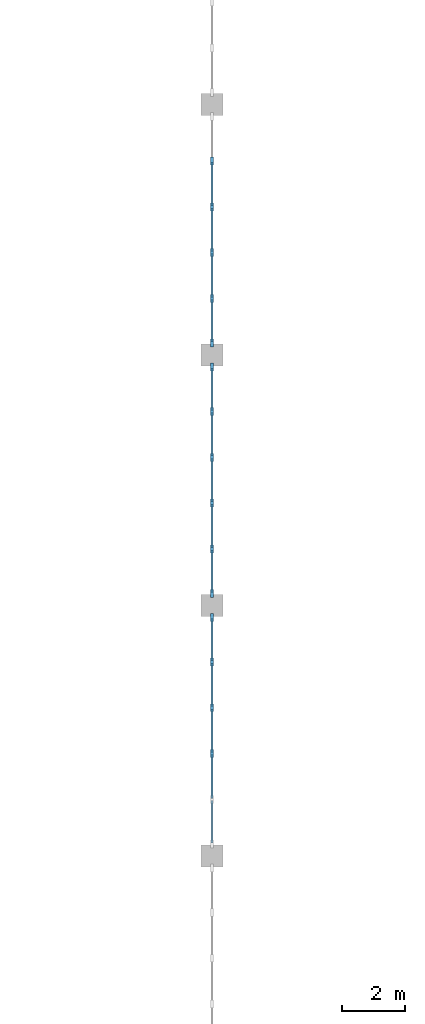
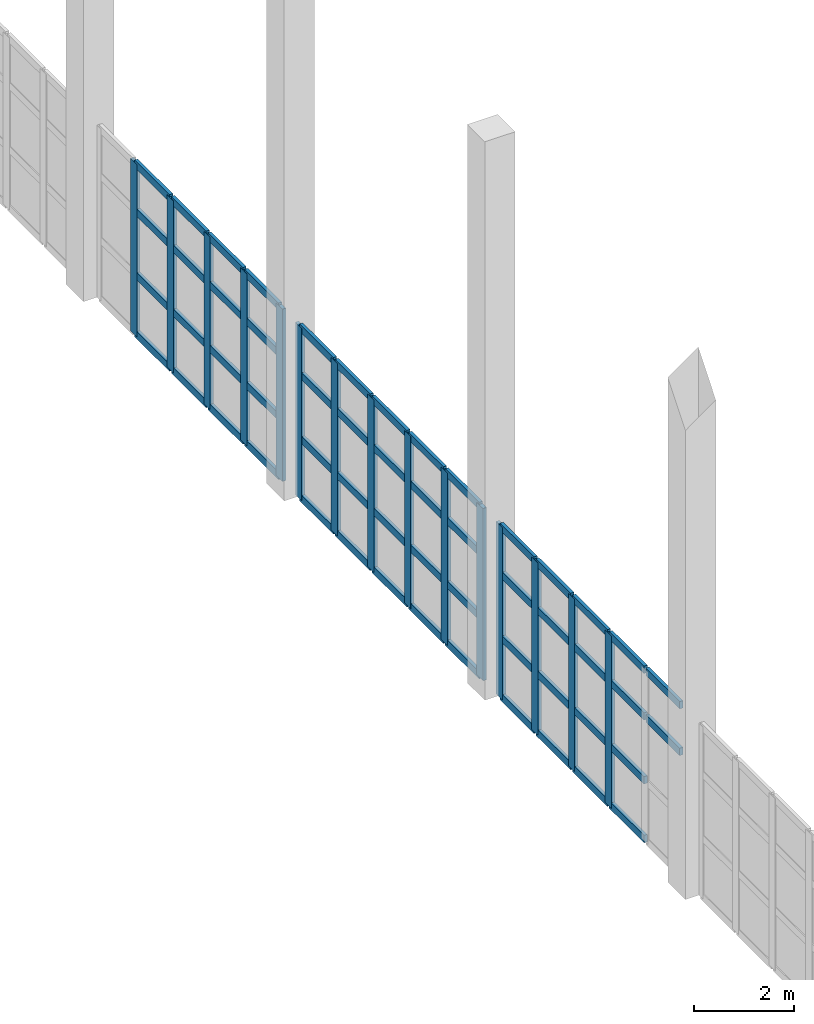
# One storey, part 14 of 66: 69 members, 3 elements without a shape of their own.
"""IFC4 building model written with IfcOpenShell, lengths in metres."""

from ifc_helpers import new_model, si_unit, direction, frame, origin, origin_2d, place, context, subcontext, project, spatial, rectangle, extrude, material, layer, layer_set, material_profile, profile_set, type_object, element, aggregate, save


model = new_model("IFC4")

# Units and contexts
model_context = context("Model", 3, precision=1e-05, world=origin(), true_north=direction((0.0, 1.0)))
body_context = subcontext(model_context, "Body", "Model", "MODEL_VIEW")
ifc_project = project(units=[si_unit("LENGTHUNIT", "METRE"), si_unit("AREAUNIT", "SQUARE_METRE"), si_unit("VOLUMEUNIT", "CUBIC_METRE"), si_unit("PLANEANGLEUNIT", "RADIAN"), si_unit("MASSUNIT", "GRAM", prefix="KILO")], contexts=[model_context])

# Site, building, storey
site_placement = place(None, origin())
site = spatial("IfcSite", under=ifc_project, at=site_placement, CompositionType="ELEMENT")
building_placement = place(site_placement, origin())
building = spatial("IfcBuilding", under=site, at=building_placement, Name="Drelvana Railside Aquatics Centre", CompositionType="ELEMENT")
storey_placement = place(building_placement, frame((0.0, 0.0, 10.199951171875)))
storey = spatial("IfcBuildingStorey", under=building, at=storey_placement, Name="L02", CompositionType="ELEMENT", Elevation=10.199951171875)

# Curtain wall, members
ifc_material_1 = material(Name="Bronze-anodised aluminium curtain wall", Category="aluminium")
ifc_layer = layer(ifc_material_1, 0.219970703125, Name="Bronze-anodised aluminium curtain wall")
ifc_layer_set = layer_set([ifc_layer], Name="Bronze-anodised aluminium curtain wall")
curtain_wall_type = type_object("IfcCurtainWallType", Name="CW-Z3-HIGH", PredefinedType="NOTDEFINED", material=ifc_layer_set)
curtain_wall_1_placement = place(storey_placement, origin())
curtain_wall_1 = element("IfcCurtainWall", 1, at=curtain_wall_1_placement, inside=storey, type_object=curtain_wall_type, Name="Curtain wall CW-03-065", PredefinedType="NOTDEFINED")
ifc_material_2 = material(Name="Bronze-anodised aluminium 6063-T6", Category="aluminium")
ifc_material_profile_1 = material_profile(ifc_material_2, rectangle(XDim=0.080078125, YDim=0.25, at=origin_2d()), Name="ALU-M 80x250")
ifc_profile_set_1 = profile_set([ifc_material_profile_1], Name="Bronze-anodised aluminium 6063-T6")
member_type_1 = type_object("IfcMemberType", Name="CW-Z3-HIGH-MUL", PredefinedType="MULLION", material=ifc_profile_set_1)
member_1_placement = place(storey_placement, frame((96.0, 43.268798828125, -0.005859375), z_axis=(0.0, 0.0, 1.0), x_axis=(-1.0, 0.0, 0.0)))
member_1 = element("IfcMember", 2, at=member_1_placement, type_object=member_type_1, Name="CW-03 mullion 3", PredefinedType="MULLION", context=body_context, shape_type="SweptSolid", body=[
    extrude(rectangle(XDim=0.080078125, YDim=0.25, at=origin_2d()), origin(), (0.0, 0.0, 1.0), 4.19580078125),
])
member_2_placement = place(storey_placement, frame((96.0, 44.731201171875, -0.005859375), z_axis=(0.0, 0.0, 1.0), x_axis=(-1.0, 0.0, 0.0)))
member_2 = element("IfcMember", 3, at=member_2_placement, type_object=member_type_1, Name="CW-03 mullion 4", PredefinedType="MULLION", context=body_context, shape_type="SweptSolid", body=[
    extrude(rectangle(XDim=0.080078125, YDim=0.25, at=origin_2d()), origin(), (0.0, 0.0, 1.0), 4.19580078125),
])
member_3_placement = place(storey_placement, frame((96.0, 46.193603515625, -0.005859375), z_axis=(0.0, 0.0, 1.0), x_axis=(-1.0, 0.0, 0.0)))
member_3 = element("IfcMember", 4, at=member_3_placement, type_object=member_type_1, Name="CW-03 mullion 5", PredefinedType="MULLION", context=body_context, shape_type="SweptSolid", body=[
    extrude(rectangle(XDim=0.080078125, YDim=0.25, at=origin_2d()), origin(), (0.0, 0.0, 1.0), 4.19580078125),
])
member_4_placement = place(storey_placement, frame((96.0, 47.615966796875, -0.005859375), z_axis=(0.0, 0.0, 1.0), x_axis=(-1.0, 0.0, 0.0)))
member_4 = element("IfcMember", 5, at=member_4_placement, type_object=member_type_1, Name="CW-03 mullion 6", PredefinedType="MULLION", context=body_context, shape_type="SweptSolid", body=[
    extrude(rectangle(XDim=0.080078125, YDim=0.25, at=origin_2d()), origin(), (0.0, 0.0, 1.0), 4.19580078125),
])

curtain_wall_2_placement = place(storey_placement, origin())
curtain_wall_2 = element("IfcCurtainWall", 6, at=curtain_wall_2_placement, inside=storey, type_object=curtain_wall_type, Name="Curtain wall CW-03-068", PredefinedType="NOTDEFINED")
member_5_placement = place(storey_placement, frame((96.0, 48.384033203125, -0.005859375), z_axis=(0.0, 0.0, 1.0), x_axis=(-1.0, 0.0, 0.0)))
member_5 = element("IfcMember", 7, at=member_5_placement, type_object=member_type_1, Name="CW-03 mullion 1", PredefinedType="MULLION", context=body_context, shape_type="SweptSolid", body=[
    extrude(rectangle(XDim=0.080078125, YDim=0.25, at=origin_2d()), origin(), (0.0, 0.0, 1.0), 4.19580078125),
])
member_6_placement = place(storey_placement, frame((96.0, 49.806396484375, -0.005859375), z_axis=(0.0, 0.0, 1.0), x_axis=(-1.0, 0.0, 0.0)))
member_6 = element("IfcMember", 8, at=member_6_placement, type_object=member_type_1, Name="CW-03 mullion 2", PredefinedType="MULLION", context=body_context, shape_type="SweptSolid", body=[
    extrude(rectangle(XDim=0.080078125, YDim=0.25, at=origin_2d()), origin(), (0.0, 0.0, 1.0), 4.19580078125),
])
member_7_placement = place(storey_placement, frame((96.0, 51.268798828125, -0.005859375), z_axis=(0.0, 0.0, 1.0), x_axis=(-1.0, 0.0, 0.0)))
member_7 = element("IfcMember", 9, at=member_7_placement, type_object=member_type_1, Name="CW-03 mullion 3", PredefinedType="MULLION", context=body_context, shape_type="SweptSolid", body=[
    extrude(rectangle(XDim=0.080078125, YDim=0.25, at=origin_2d()), origin(), (0.0, 0.0, 1.0), 4.19580078125),
])
member_8_placement = place(storey_placement, frame((96.0, 52.731201171875, -0.005859375), z_axis=(0.0, 0.0, 1.0), x_axis=(-1.0, 0.0, 0.0)))
member_8 = element("IfcMember", 10, at=member_8_placement, type_object=member_type_1, Name="CW-03 mullion 4", PredefinedType="MULLION", context=body_context, shape_type="SweptSolid", body=[
    extrude(rectangle(XDim=0.080078125, YDim=0.25, at=origin_2d()), origin(), (0.0, 0.0, 1.0), 4.19580078125),
])
member_9_placement = place(storey_placement, frame((96.0, 54.193603515625, -0.005859375), z_axis=(0.0, 0.0, 1.0), x_axis=(-1.0, 0.0, 0.0)))
member_9 = element("IfcMember", 11, at=member_9_placement, type_object=member_type_1, Name="CW-03 mullion 5", PredefinedType="MULLION", context=body_context, shape_type="SweptSolid", body=[
    extrude(rectangle(XDim=0.080078125, YDim=0.25, at=origin_2d()), origin(), (0.0, 0.0, 1.0), 4.19580078125),
])
member_10_placement = place(storey_placement, frame((96.0, 55.615966796875, -0.005859375), z_axis=(0.0, 0.0, 1.0), x_axis=(-1.0, 0.0, 0.0)))
member_10 = element("IfcMember", 12, at=member_10_placement, type_object=member_type_1, Name="CW-03 mullion 6", PredefinedType="MULLION", context=body_context, shape_type="SweptSolid", body=[
    extrude(rectangle(XDim=0.080078125, YDim=0.25, at=origin_2d()), origin(), (0.0, 0.0, 1.0), 4.19580078125),
])

curtain_wall_3_placement = place(storey_placement, origin())
curtain_wall_3 = element("IfcCurtainWall", 13, at=curtain_wall_3_placement, inside=storey, type_object=curtain_wall_type, Name="Curtain wall CW-03-072", PredefinedType="NOTDEFINED")
member_11_placement = place(storey_placement, frame((96.0, 56.384033203125, -0.005859375), z_axis=(0.0, 0.0, 1.0), x_axis=(-1.0, 0.0, 0.0)))
member_11 = element("IfcMember", 14, at=member_11_placement, type_object=member_type_1, Name="CW-03 mullion 1", PredefinedType="MULLION", context=body_context, shape_type="SweptSolid", body=[
    extrude(rectangle(XDim=0.080078125, YDim=0.25, at=origin_2d()), origin(), (0.0, 0.0, 1.0), 4.19580078125),
])
member_12_placement = place(storey_placement, frame((96.0, 57.806396484375, -0.005859375), z_axis=(0.0, 0.0, 1.0), x_axis=(-1.0, 0.0, 0.0)))
member_12 = element("IfcMember", 15, at=member_12_placement, type_object=member_type_1, Name="CW-03 mullion 2", PredefinedType="MULLION", context=body_context, shape_type="SweptSolid", body=[
    extrude(rectangle(XDim=0.080078125, YDim=0.25, at=origin_2d()), origin(), (0.0, 0.0, 1.0), 4.19580078125),
])
member_13_placement = place(storey_placement, frame((96.0, 59.268798828125, -0.005859375), z_axis=(0.0, 0.0, 1.0), x_axis=(-1.0, 0.0, 0.0)))
member_13 = element("IfcMember", 16, at=member_13_placement, type_object=member_type_1, Name="CW-03 mullion 3", PredefinedType="MULLION", context=body_context, shape_type="SweptSolid", body=[
    extrude(rectangle(XDim=0.080078125, YDim=0.25, at=origin_2d()), origin(), (0.0, 0.0, 1.0), 4.19580078125),
])
member_14_placement = place(storey_placement, frame((96.0, 60.731201171875, -0.005859375), z_axis=(0.0, 0.0, 1.0), x_axis=(-1.0, 0.0, 0.0)))
member_14 = element("IfcMember", 17, at=member_14_placement, type_object=member_type_1, Name="CW-03 mullion 4", PredefinedType="MULLION", context=body_context, shape_type="SweptSolid", body=[
    extrude(rectangle(XDim=0.080078125, YDim=0.25, at=origin_2d()), origin(), (0.0, 0.0, 1.0), 4.19580078125),
])
member_15_placement = place(storey_placement, frame((96.0, 62.193603515625, -0.005859375), z_axis=(0.0, 0.0, 1.0), x_axis=(-1.0, 0.0, 0.0)))
member_15 = element("IfcMember", 18, at=member_15_placement, type_object=member_type_1, Name="CW-03 mullion 5", PredefinedType="MULLION", context=body_context, shape_type="SweptSolid", body=[
    extrude(rectangle(XDim=0.080078125, YDim=0.25, at=origin_2d()), origin(), (0.0, 0.0, 1.0), 4.19580078125),
])

# Member
ifc_material_profile_2 = material_profile(ifc_material_2, rectangle(XDim=0.179931640625, YDim=0.074951171875, at=origin_2d()), Name="ALU-T 75x180")
ifc_profile_set_2 = profile_set([ifc_material_profile_2], Name="Bronze-anodised aluminium 6063-T6")
member_type_2 = type_object("IfcMemberType", Name="CW-Z3-HIGH-TRN", PredefinedType="USERDEFINED", material=ifc_profile_set_2)
member_16_placement = place(storey_placement, frame((96.0, 40.4189453125, 3.01513671875), z_axis=(0.0, 1.0, 0.0), x_axis=(0.0, 0.0, 1.0)))
member_16 = element("IfcMember", 19, at=member_16_placement, type_object=member_type_2, Name="CW-03 transom 1.3", ObjectType="TRANSOM", PredefinedType="USERDEFINED", context=body_context, shape_type="SweptSolid", body=[
    extrude(rectangle(XDim=0.179931640625, YDim=0.074951171875, at=origin_2d()), origin(), (0.0, 0.0, 1.0), 1.3525390625),
])

member_17_placement = place(storey_placement, frame((96.0, 40.4189453125, 4.152587890625), z_axis=(0.0, 1.0, 0.0), x_axis=(0.0, 0.0, 1.0)))
member_17 = element("IfcMember", 20, at=member_17_placement, type_object=member_type_2, Name="CW-03 transom 1.4", ObjectType="TRANSOM", PredefinedType="USERDEFINED", context=body_context, shape_type="SweptSolid", body=[
    extrude(rectangle(XDim=0.179931640625, YDim=0.074951171875, at=origin_2d()), origin(), (0.0, 0.0, 1.0), 1.3525390625),
])

member_18_placement = place(storey_placement, frame((96.0, 41.84130859375, 0.031494140625), z_axis=(0.0, 1.0, 0.0), x_axis=(0.0, 0.0, 1.0)))
member_18 = element("IfcMember", 21, at=member_18_placement, type_object=member_type_2, Name="CW-03 transom 2.1", ObjectType="TRANSOM", PredefinedType="USERDEFINED", context=body_context, shape_type="SweptSolid", body=[
    extrude(rectangle(XDim=0.179931640625, YDim=0.074951171875, at=origin_2d()), origin(), (0.0, 0.0, 1.0), 1.392578125),
])

member_19_placement = place(storey_placement, frame((96.0, 41.84130859375, 1.463134765625), z_axis=(0.0, 1.0, 0.0), x_axis=(0.0, 0.0, 1.0)))
member_19 = element("IfcMember", 22, at=member_19_placement, type_object=member_type_2, Name="CW-03 transom 2.2", ObjectType="TRANSOM", PredefinedType="USERDEFINED", context=body_context, shape_type="SweptSolid", body=[
    extrude(rectangle(XDim=0.179931640625, YDim=0.074951171875, at=origin_2d()), origin(), (0.0, 0.0, 1.0), 1.392578125),
])

member_20_placement = place(storey_placement, frame((96.0, 41.84130859375, 3.01513671875), z_axis=(0.0, 1.0, 0.0), x_axis=(0.0, 0.0, 1.0)))
member_20 = element("IfcMember", 23, at=member_20_placement, type_object=member_type_2, Name="CW-03 transom 2.3", ObjectType="TRANSOM", PredefinedType="USERDEFINED", context=body_context, shape_type="SweptSolid", body=[
    extrude(rectangle(XDim=0.179931640625, YDim=0.074951171875, at=origin_2d()), origin(), (0.0, 0.0, 1.0), 1.392578125),
])

member_21_placement = place(storey_placement, frame((96.0, 41.84130859375, 4.152587890625), z_axis=(0.0, 1.0, 0.0), x_axis=(0.0, 0.0, 1.0)))
member_21 = element("IfcMember", 24, at=member_21_placement, type_object=member_type_2, Name="CW-03 transom 2.4", ObjectType="TRANSOM", PredefinedType="USERDEFINED", context=body_context, shape_type="SweptSolid", body=[
    extrude(rectangle(XDim=0.179931640625, YDim=0.074951171875, at=origin_2d()), origin(), (0.0, 0.0, 1.0), 1.392578125),
])

member_22_placement = place(storey_placement, frame((96.0, 43.3037109375, 0.031494140625), z_axis=(0.0, 1.0, 0.0), x_axis=(0.0, 0.0, 1.0)))
member_22 = element("IfcMember", 25, at=member_22_placement, type_object=member_type_2, Name="CW-03 transom 3.1", ObjectType="TRANSOM", PredefinedType="USERDEFINED", context=body_context, shape_type="SweptSolid", body=[
    extrude(rectangle(XDim=0.179931640625, YDim=0.074951171875, at=origin_2d()), origin(), (0.0, 0.0, 1.0), 1.392578125),
])

member_23_placement = place(storey_placement, frame((96.0, 43.3037109375, 1.463134765625), z_axis=(0.0, 1.0, 0.0), x_axis=(0.0, 0.0, 1.0)))
member_23 = element("IfcMember", 26, at=member_23_placement, type_object=member_type_2, Name="CW-03 transom 3.2", ObjectType="TRANSOM", PredefinedType="USERDEFINED", context=body_context, shape_type="SweptSolid", body=[
    extrude(rectangle(XDim=0.179931640625, YDim=0.074951171875, at=origin_2d()), origin(), (0.0, 0.0, 1.0), 1.392578125),
])

member_24_placement = place(storey_placement, frame((96.0, 43.3037109375, 3.01513671875), z_axis=(0.0, 1.0, 0.0), x_axis=(0.0, 0.0, 1.0)))
member_24 = element("IfcMember", 27, at=member_24_placement, type_object=member_type_2, Name="CW-03 transom 3.3", ObjectType="TRANSOM", PredefinedType="USERDEFINED", context=body_context, shape_type="SweptSolid", body=[
    extrude(rectangle(XDim=0.179931640625, YDim=0.074951171875, at=origin_2d()), origin(), (0.0, 0.0, 1.0), 1.392578125),
])

member_25_placement = place(storey_placement, frame((96.0, 43.3037109375, 4.152587890625), z_axis=(0.0, 1.0, 0.0), x_axis=(0.0, 0.0, 1.0)))
member_25 = element("IfcMember", 28, at=member_25_placement, type_object=member_type_2, Name="CW-03 transom 3.4", ObjectType="TRANSOM", PredefinedType="USERDEFINED", context=body_context, shape_type="SweptSolid", body=[
    extrude(rectangle(XDim=0.179931640625, YDim=0.074951171875, at=origin_2d()), origin(), (0.0, 0.0, 1.0), 1.392578125),
])

member_26_placement = place(storey_placement, frame((96.0, 44.76611328125, 0.031494140625), z_axis=(0.0, 1.0, 0.0), x_axis=(0.0, 0.0, 1.0)))
member_26 = element("IfcMember", 29, at=member_26_placement, type_object=member_type_2, Name="CW-03 transom 4.1", ObjectType="TRANSOM", PredefinedType="USERDEFINED", context=body_context, shape_type="SweptSolid", body=[
    extrude(rectangle(XDim=0.179931640625, YDim=0.074951171875, at=origin_2d()), origin(), (0.0, 0.0, 1.0), 1.392578125),
])

member_27_placement = place(storey_placement, frame((96.0, 44.76611328125, 1.463134765625), z_axis=(0.0, 1.0, 0.0), x_axis=(0.0, 0.0, 1.0)))
member_27 = element("IfcMember", 30, at=member_27_placement, type_object=member_type_2, Name="CW-03 transom 4.2", ObjectType="TRANSOM", PredefinedType="USERDEFINED", context=body_context, shape_type="SweptSolid", body=[
    extrude(rectangle(XDim=0.179931640625, YDim=0.074951171875, at=origin_2d()), origin(), (0.0, 0.0, 1.0), 1.392578125),
])

member_28_placement = place(storey_placement, frame((96.0, 44.76611328125, 3.01513671875), z_axis=(0.0, 1.0, 0.0), x_axis=(0.0, 0.0, 1.0)))
member_28 = element("IfcMember", 31, at=member_28_placement, type_object=member_type_2, Name="CW-03 transom 4.3", ObjectType="TRANSOM", PredefinedType="USERDEFINED", context=body_context, shape_type="SweptSolid", body=[
    extrude(rectangle(XDim=0.179931640625, YDim=0.074951171875, at=origin_2d()), origin(), (0.0, 0.0, 1.0), 1.392578125),
])

member_29_placement = place(storey_placement, frame((96.0, 44.76611328125, 4.152587890625), z_axis=(0.0, 1.0, 0.0), x_axis=(0.0, 0.0, 1.0)))
member_29 = element("IfcMember", 32, at=member_29_placement, type_object=member_type_2, Name="CW-03 transom 4.4", ObjectType="TRANSOM", PredefinedType="USERDEFINED", context=body_context, shape_type="SweptSolid", body=[
    extrude(rectangle(XDim=0.179931640625, YDim=0.074951171875, at=origin_2d()), origin(), (0.0, 0.0, 1.0), 1.392578125),
])

member_30_placement = place(storey_placement, frame((96.0, 46.228515625, 0.031494140625), z_axis=(0.0, 1.0, 0.0), x_axis=(0.0, 0.0, 1.0)))
member_30 = element("IfcMember", 33, at=member_30_placement, type_object=member_type_2, Name="CW-03 transom 5.1", ObjectType="TRANSOM", PredefinedType="USERDEFINED", context=body_context, shape_type="SweptSolid", body=[
    extrude(rectangle(XDim=0.179931640625, YDim=0.074951171875, at=origin_2d()), origin(), (0.0, 0.0, 1.0), 1.3525390625),
])

member_31_placement = place(storey_placement, frame((96.0, 46.228515625, 1.463134765625), z_axis=(0.0, 1.0, 0.0), x_axis=(0.0, 0.0, 1.0)))
member_31 = element("IfcMember", 34, at=member_31_placement, type_object=member_type_2, Name="CW-03 transom 5.2", ObjectType="TRANSOM", PredefinedType="USERDEFINED", context=body_context, shape_type="SweptSolid", body=[
    extrude(rectangle(XDim=0.179931640625, YDim=0.074951171875, at=origin_2d()), origin(), (0.0, 0.0, 1.0), 1.3525390625),
])

member_32_placement = place(storey_placement, frame((96.0, 46.228515625, 3.01513671875), z_axis=(0.0, 1.0, 0.0), x_axis=(0.0, 0.0, 1.0)))
member_32 = element("IfcMember", 35, at=member_32_placement, type_object=member_type_2, Name="CW-03 transom 5.3", ObjectType="TRANSOM", PredefinedType="USERDEFINED", context=body_context, shape_type="SweptSolid", body=[
    extrude(rectangle(XDim=0.179931640625, YDim=0.074951171875, at=origin_2d()), origin(), (0.0, 0.0, 1.0), 1.3525390625),
])

member_33_placement = place(storey_placement, frame((96.0, 46.228515625, 4.152587890625), z_axis=(0.0, 1.0, 0.0), x_axis=(0.0, 0.0, 1.0)))
member_33 = element("IfcMember", 36, at=member_33_placement, type_object=member_type_2, Name="CW-03 transom 5.4", ObjectType="TRANSOM", PredefinedType="USERDEFINED", context=body_context, shape_type="SweptSolid", body=[
    extrude(rectangle(XDim=0.179931640625, YDim=0.074951171875, at=origin_2d()), origin(), (0.0, 0.0, 1.0), 1.3525390625),
])

aggregate(curtain_wall_1, [member_1, member_2, member_3, member_4, member_16, member_17, member_18, member_19, member_20, member_21, member_22, member_23, member_24, member_25, member_26, member_27, member_28, member_29, member_30, member_31, member_32, member_33])

member_34_placement = place(storey_placement, frame((96.0, 48.4189453125, 0.031494140625), z_axis=(0.0, 1.0, 0.0), x_axis=(0.0, 0.0, 1.0)))
member_34 = element("IfcMember", 37, at=member_34_placement, type_object=member_type_2, Name="CW-03 transom 1.1", ObjectType="TRANSOM", PredefinedType="USERDEFINED", context=body_context, shape_type="SweptSolid", body=[
    extrude(rectangle(XDim=0.179931640625, YDim=0.074951171875, at=origin_2d()), origin(), (0.0, 0.0, 1.0), 1.3525390625),
])

member_35_placement = place(storey_placement, frame((96.0, 48.4189453125, 1.463134765625), z_axis=(0.0, 1.0, 0.0), x_axis=(0.0, 0.0, 1.0)))
member_35 = element("IfcMember", 38, at=member_35_placement, type_object=member_type_2, Name="CW-03 transom 1.2", ObjectType="TRANSOM", PredefinedType="USERDEFINED", context=body_context, shape_type="SweptSolid", body=[
    extrude(rectangle(XDim=0.179931640625, YDim=0.074951171875, at=origin_2d()), origin(), (0.0, 0.0, 1.0), 1.3525390625),
])

member_36_placement = place(storey_placement, frame((96.0, 48.4189453125, 3.01513671875), z_axis=(0.0, 1.0, 0.0), x_axis=(0.0, 0.0, 1.0)))
member_36 = element("IfcMember", 39, at=member_36_placement, type_object=member_type_2, Name="CW-03 transom 1.3", ObjectType="TRANSOM", PredefinedType="USERDEFINED", context=body_context, shape_type="SweptSolid", body=[
    extrude(rectangle(XDim=0.179931640625, YDim=0.074951171875, at=origin_2d()), origin(), (0.0, 0.0, 1.0), 1.3525390625),
])

member_37_placement = place(storey_placement, frame((96.0, 48.4189453125, 4.152587890625), z_axis=(0.0, 1.0, 0.0), x_axis=(0.0, 0.0, 1.0)))
member_37 = element("IfcMember", 40, at=member_37_placement, type_object=member_type_2, Name="CW-03 transom 1.4", ObjectType="TRANSOM", PredefinedType="USERDEFINED", context=body_context, shape_type="SweptSolid", body=[
    extrude(rectangle(XDim=0.179931640625, YDim=0.074951171875, at=origin_2d()), origin(), (0.0, 0.0, 1.0), 1.3525390625),
])

member_38_placement = place(storey_placement, frame((96.0, 49.84130859375, 0.031494140625), z_axis=(0.0, 1.0, 0.0), x_axis=(0.0, 0.0, 1.0)))
member_38 = element("IfcMember", 41, at=member_38_placement, type_object=member_type_2, Name="CW-03 transom 2.1", ObjectType="TRANSOM", PredefinedType="USERDEFINED", context=body_context, shape_type="SweptSolid", body=[
    extrude(rectangle(XDim=0.179931640625, YDim=0.074951171875, at=origin_2d()), origin(), (0.0, 0.0, 1.0), 1.392578125),
])

member_39_placement = place(storey_placement, frame((96.0, 49.84130859375, 1.463134765625), z_axis=(0.0, 1.0, 0.0), x_axis=(0.0, 0.0, 1.0)))
member_39 = element("IfcMember", 42, at=member_39_placement, type_object=member_type_2, Name="CW-03 transom 2.2", ObjectType="TRANSOM", PredefinedType="USERDEFINED", context=body_context, shape_type="SweptSolid", body=[
    extrude(rectangle(XDim=0.179931640625, YDim=0.074951171875, at=origin_2d()), origin(), (0.0, 0.0, 1.0), 1.392578125),
])

member_40_placement = place(storey_placement, frame((96.0, 49.84130859375, 3.01513671875), z_axis=(0.0, 1.0, 0.0), x_axis=(0.0, 0.0, 1.0)))
member_40 = element("IfcMember", 43, at=member_40_placement, type_object=member_type_2, Name="CW-03 transom 2.3", ObjectType="TRANSOM", PredefinedType="USERDEFINED", context=body_context, shape_type="SweptSolid", body=[
    extrude(rectangle(XDim=0.179931640625, YDim=0.074951171875, at=origin_2d()), origin(), (0.0, 0.0, 1.0), 1.392578125),
])

member_41_placement = place(storey_placement, frame((96.0, 49.84130859375, 4.152587890625), z_axis=(0.0, 1.0, 0.0), x_axis=(0.0, 0.0, 1.0)))
member_41 = element("IfcMember", 44, at=member_41_placement, type_object=member_type_2, Name="CW-03 transom 2.4", ObjectType="TRANSOM", PredefinedType="USERDEFINED", context=body_context, shape_type="SweptSolid", body=[
    extrude(rectangle(XDim=0.179931640625, YDim=0.074951171875, at=origin_2d()), origin(), (0.0, 0.0, 1.0), 1.392578125),
])

member_42_placement = place(storey_placement, frame((96.0, 51.3037109375, 0.031494140625), z_axis=(0.0, 1.0, 0.0), x_axis=(0.0, 0.0, 1.0)))
member_42 = element("IfcMember", 45, at=member_42_placement, type_object=member_type_2, Name="CW-03 transom 3.1", ObjectType="TRANSOM", PredefinedType="USERDEFINED", context=body_context, shape_type="SweptSolid", body=[
    extrude(rectangle(XDim=0.179931640625, YDim=0.074951171875, at=origin_2d()), origin(), (0.0, 0.0, 1.0), 1.392578125),
])

member_43_placement = place(storey_placement, frame((96.0, 51.3037109375, 1.463134765625), z_axis=(0.0, 1.0, 0.0), x_axis=(0.0, 0.0, 1.0)))
member_43 = element("IfcMember", 46, at=member_43_placement, type_object=member_type_2, Name="CW-03 transom 3.2", ObjectType="TRANSOM", PredefinedType="USERDEFINED", context=body_context, shape_type="SweptSolid", body=[
    extrude(rectangle(XDim=0.179931640625, YDim=0.074951171875, at=origin_2d()), origin(), (0.0, 0.0, 1.0), 1.392578125),
])

member_44_placement = place(storey_placement, frame((96.0, 51.3037109375, 3.01513671875), z_axis=(0.0, 1.0, 0.0), x_axis=(0.0, 0.0, 1.0)))
member_44 = element("IfcMember", 47, at=member_44_placement, type_object=member_type_2, Name="CW-03 transom 3.3", ObjectType="TRANSOM", PredefinedType="USERDEFINED", context=body_context, shape_type="SweptSolid", body=[
    extrude(rectangle(XDim=0.179931640625, YDim=0.074951171875, at=origin_2d()), origin(), (0.0, 0.0, 1.0), 1.392578125),
])

member_45_placement = place(storey_placement, frame((96.0, 51.3037109375, 4.152587890625), z_axis=(0.0, 1.0, 0.0), x_axis=(0.0, 0.0, 1.0)))
member_45 = element("IfcMember", 48, at=member_45_placement, type_object=member_type_2, Name="CW-03 transom 3.4", ObjectType="TRANSOM", PredefinedType="USERDEFINED", context=body_context, shape_type="SweptSolid", body=[
    extrude(rectangle(XDim=0.179931640625, YDim=0.074951171875, at=origin_2d()), origin(), (0.0, 0.0, 1.0), 1.392578125),
])

member_46_placement = place(storey_placement, frame((96.0, 52.76611328125, 0.031494140625), z_axis=(0.0, 1.0, 0.0), x_axis=(0.0, 0.0, 1.0)))
member_46 = element("IfcMember", 49, at=member_46_placement, type_object=member_type_2, Name="CW-03 transom 4.1", ObjectType="TRANSOM", PredefinedType="USERDEFINED", context=body_context, shape_type="SweptSolid", body=[
    extrude(rectangle(XDim=0.179931640625, YDim=0.074951171875, at=origin_2d()), origin(), (0.0, 0.0, 1.0), 1.392578125),
])

member_47_placement = place(storey_placement, frame((96.0, 52.76611328125, 1.463134765625), z_axis=(0.0, 1.0, 0.0), x_axis=(0.0, 0.0, 1.0)))
member_47 = element("IfcMember", 50, at=member_47_placement, type_object=member_type_2, Name="CW-03 transom 4.2", ObjectType="TRANSOM", PredefinedType="USERDEFINED", context=body_context, shape_type="SweptSolid", body=[
    extrude(rectangle(XDim=0.179931640625, YDim=0.074951171875, at=origin_2d()), origin(), (0.0, 0.0, 1.0), 1.392578125),
])

member_48_placement = place(storey_placement, frame((96.0, 52.76611328125, 3.01513671875), z_axis=(0.0, 1.0, 0.0), x_axis=(0.0, 0.0, 1.0)))
member_48 = element("IfcMember", 51, at=member_48_placement, type_object=member_type_2, Name="CW-03 transom 4.3", ObjectType="TRANSOM", PredefinedType="USERDEFINED", context=body_context, shape_type="SweptSolid", body=[
    extrude(rectangle(XDim=0.179931640625, YDim=0.074951171875, at=origin_2d()), origin(), (0.0, 0.0, 1.0), 1.392578125),
])

member_49_placement = place(storey_placement, frame((96.0, 52.76611328125, 4.152587890625), z_axis=(0.0, 1.0, 0.0), x_axis=(0.0, 0.0, 1.0)))
member_49 = element("IfcMember", 52, at=member_49_placement, type_object=member_type_2, Name="CW-03 transom 4.4", ObjectType="TRANSOM", PredefinedType="USERDEFINED", context=body_context, shape_type="SweptSolid", body=[
    extrude(rectangle(XDim=0.179931640625, YDim=0.074951171875, at=origin_2d()), origin(), (0.0, 0.0, 1.0), 1.392578125),
])

member_50_placement = place(storey_placement, frame((96.0, 54.228515625, 0.031494140625), z_axis=(0.0, 1.0, 0.0), x_axis=(0.0, 0.0, 1.0)))
member_50 = element("IfcMember", 53, at=member_50_placement, type_object=member_type_2, Name="CW-03 transom 5.1", ObjectType="TRANSOM", PredefinedType="USERDEFINED", context=body_context, shape_type="SweptSolid", body=[
    extrude(rectangle(XDim=0.179931640625, YDim=0.074951171875, at=origin_2d()), origin(), (0.0, 0.0, 1.0), 1.3525390625),
])

member_51_placement = place(storey_placement, frame((96.0, 54.228515625, 1.463134765625), z_axis=(0.0, 1.0, 0.0), x_axis=(0.0, 0.0, 1.0)))
member_51 = element("IfcMember", 54, at=member_51_placement, type_object=member_type_2, Name="CW-03 transom 5.2", ObjectType="TRANSOM", PredefinedType="USERDEFINED", context=body_context, shape_type="SweptSolid", body=[
    extrude(rectangle(XDim=0.179931640625, YDim=0.074951171875, at=origin_2d()), origin(), (0.0, 0.0, 1.0), 1.3525390625),
])

member_52_placement = place(storey_placement, frame((96.0, 54.228515625, 3.01513671875), z_axis=(0.0, 1.0, 0.0), x_axis=(0.0, 0.0, 1.0)))
member_52 = element("IfcMember", 55, at=member_52_placement, type_object=member_type_2, Name="CW-03 transom 5.3", ObjectType="TRANSOM", PredefinedType="USERDEFINED", context=body_context, shape_type="SweptSolid", body=[
    extrude(rectangle(XDim=0.179931640625, YDim=0.074951171875, at=origin_2d()), origin(), (0.0, 0.0, 1.0), 1.3525390625),
])

member_53_placement = place(storey_placement, frame((96.0, 54.228515625, 4.152587890625), z_axis=(0.0, 1.0, 0.0), x_axis=(0.0, 0.0, 1.0)))
member_53 = element("IfcMember", 56, at=member_53_placement, type_object=member_type_2, Name="CW-03 transom 5.4", ObjectType="TRANSOM", PredefinedType="USERDEFINED", context=body_context, shape_type="SweptSolid", body=[
    extrude(rectangle(XDim=0.179931640625, YDim=0.074951171875, at=origin_2d()), origin(), (0.0, 0.0, 1.0), 1.3525390625),
])

aggregate(curtain_wall_2, [member_5, member_6, member_7, member_8, member_9, member_10, member_34, member_35, member_36, member_37, member_38, member_39, member_40, member_41, member_42, member_43, member_44, member_45, member_46, member_47, member_48, member_49, member_50, member_51, member_52, member_53])

member_54_placement = place(storey_placement, frame((96.0, 56.4189453125, 0.031494140625), z_axis=(0.0, 1.0, 0.0), x_axis=(0.0, 0.0, 1.0)))
member_54 = element("IfcMember", 57, at=member_54_placement, type_object=member_type_2, Name="CW-03 transom 1.1", ObjectType="TRANSOM", PredefinedType="USERDEFINED", context=body_context, shape_type="SweptSolid", body=[
    extrude(rectangle(XDim=0.179931640625, YDim=0.074951171875, at=origin_2d()), origin(), (0.0, 0.0, 1.0), 1.3525390625),
])

member_55_placement = place(storey_placement, frame((96.0, 56.4189453125, 1.463134765625), z_axis=(0.0, 1.0, 0.0), x_axis=(0.0, 0.0, 1.0)))
member_55 = element("IfcMember", 58, at=member_55_placement, type_object=member_type_2, Name="CW-03 transom 1.2", ObjectType="TRANSOM", PredefinedType="USERDEFINED", context=body_context, shape_type="SweptSolid", body=[
    extrude(rectangle(XDim=0.179931640625, YDim=0.074951171875, at=origin_2d()), origin(), (0.0, 0.0, 1.0), 1.3525390625),
])

member_56_placement = place(storey_placement, frame((96.0, 56.4189453125, 3.01513671875), z_axis=(0.0, 1.0, 0.0), x_axis=(0.0, 0.0, 1.0)))
member_56 = element("IfcMember", 59, at=member_56_placement, type_object=member_type_2, Name="CW-03 transom 1.3", ObjectType="TRANSOM", PredefinedType="USERDEFINED", context=body_context, shape_type="SweptSolid", body=[
    extrude(rectangle(XDim=0.179931640625, YDim=0.074951171875, at=origin_2d()), origin(), (0.0, 0.0, 1.0), 1.3525390625),
])

member_57_placement = place(storey_placement, frame((96.0, 56.4189453125, 4.152587890625), z_axis=(0.0, 1.0, 0.0), x_axis=(0.0, 0.0, 1.0)))
member_57 = element("IfcMember", 60, at=member_57_placement, type_object=member_type_2, Name="CW-03 transom 1.4", ObjectType="TRANSOM", PredefinedType="USERDEFINED", context=body_context, shape_type="SweptSolid", body=[
    extrude(rectangle(XDim=0.179931640625, YDim=0.074951171875, at=origin_2d()), origin(), (0.0, 0.0, 1.0), 1.3525390625),
])

member_58_placement = place(storey_placement, frame((96.0, 57.84130859375, 0.031494140625), z_axis=(0.0, 1.0, 0.0), x_axis=(0.0, 0.0, 1.0)))
member_58 = element("IfcMember", 61, at=member_58_placement, type_object=member_type_2, Name="CW-03 transom 2.1", ObjectType="TRANSOM", PredefinedType="USERDEFINED", context=body_context, shape_type="SweptSolid", body=[
    extrude(rectangle(XDim=0.179931640625, YDim=0.074951171875, at=origin_2d()), origin(), (0.0, 0.0, 1.0), 1.392578125),
])

member_59_placement = place(storey_placement, frame((96.0, 57.84130859375, 1.463134765625), z_axis=(0.0, 1.0, 0.0), x_axis=(0.0, 0.0, 1.0)))
member_59 = element("IfcMember", 62, at=member_59_placement, type_object=member_type_2, Name="CW-03 transom 2.2", ObjectType="TRANSOM", PredefinedType="USERDEFINED", context=body_context, shape_type="SweptSolid", body=[
    extrude(rectangle(XDim=0.179931640625, YDim=0.074951171875, at=origin_2d()), origin(), (0.0, 0.0, 1.0), 1.392578125),
])

member_60_placement = place(storey_placement, frame((96.0, 57.84130859375, 3.01513671875), z_axis=(0.0, 1.0, 0.0), x_axis=(0.0, 0.0, 1.0)))
member_60 = element("IfcMember", 63, at=member_60_placement, type_object=member_type_2, Name="CW-03 transom 2.3", ObjectType="TRANSOM", PredefinedType="USERDEFINED", context=body_context, shape_type="SweptSolid", body=[
    extrude(rectangle(XDim=0.179931640625, YDim=0.074951171875, at=origin_2d()), origin(), (0.0, 0.0, 1.0), 1.392578125),
])

member_61_placement = place(storey_placement, frame((96.0, 57.84130859375, 4.152587890625), z_axis=(0.0, 1.0, 0.0), x_axis=(0.0, 0.0, 1.0)))
member_61 = element("IfcMember", 64, at=member_61_placement, type_object=member_type_2, Name="CW-03 transom 2.4", ObjectType="TRANSOM", PredefinedType="USERDEFINED", context=body_context, shape_type="SweptSolid", body=[
    extrude(rectangle(XDim=0.179931640625, YDim=0.074951171875, at=origin_2d()), origin(), (0.0, 0.0, 1.0), 1.392578125),
])

member_62_placement = place(storey_placement, frame((96.0, 59.3037109375, 0.031494140625), z_axis=(0.0, 1.0, 0.0), x_axis=(0.0, 0.0, 1.0)))
member_62 = element("IfcMember", 65, at=member_62_placement, type_object=member_type_2, Name="CW-03 transom 3.1", ObjectType="TRANSOM", PredefinedType="USERDEFINED", context=body_context, shape_type="SweptSolid", body=[
    extrude(rectangle(XDim=0.179931640625, YDim=0.074951171875, at=origin_2d()), origin(), (0.0, 0.0, 1.0), 1.392578125),
])

member_63_placement = place(storey_placement, frame((96.0, 59.3037109375, 1.463134765625), z_axis=(0.0, 1.0, 0.0), x_axis=(0.0, 0.0, 1.0)))
member_63 = element("IfcMember", 66, at=member_63_placement, type_object=member_type_2, Name="CW-03 transom 3.2", ObjectType="TRANSOM", PredefinedType="USERDEFINED", context=body_context, shape_type="SweptSolid", body=[
    extrude(rectangle(XDim=0.179931640625, YDim=0.074951171875, at=origin_2d()), origin(), (0.0, 0.0, 1.0), 1.392578125),
])

member_64_placement = place(storey_placement, frame((96.0, 59.3037109375, 3.01513671875), z_axis=(0.0, 1.0, 0.0), x_axis=(0.0, 0.0, 1.0)))
member_64 = element("IfcMember", 67, at=member_64_placement, type_object=member_type_2, Name="CW-03 transom 3.3", ObjectType="TRANSOM", PredefinedType="USERDEFINED", context=body_context, shape_type="SweptSolid", body=[
    extrude(rectangle(XDim=0.179931640625, YDim=0.074951171875, at=origin_2d()), origin(), (0.0, 0.0, 1.0), 1.392578125),
])

member_65_placement = place(storey_placement, frame((96.0, 59.3037109375, 4.152587890625), z_axis=(0.0, 1.0, 0.0), x_axis=(0.0, 0.0, 1.0)))
member_65 = element("IfcMember", 68, at=member_65_placement, type_object=member_type_2, Name="CW-03 transom 3.4", ObjectType="TRANSOM", PredefinedType="USERDEFINED", context=body_context, shape_type="SweptSolid", body=[
    extrude(rectangle(XDim=0.179931640625, YDim=0.074951171875, at=origin_2d()), origin(), (0.0, 0.0, 1.0), 1.392578125),
])

member_66_placement = place(storey_placement, frame((96.0, 60.76611328125, 0.031494140625), z_axis=(0.0, 1.0, 0.0), x_axis=(0.0, 0.0, 1.0)))
member_66 = element("IfcMember", 69, at=member_66_placement, type_object=member_type_2, Name="CW-03 transom 4.1", ObjectType="TRANSOM", PredefinedType="USERDEFINED", context=body_context, shape_type="SweptSolid", body=[
    extrude(rectangle(XDim=0.179931640625, YDim=0.074951171875, at=origin_2d()), origin(), (0.0, 0.0, 1.0), 1.392578125),
])

member_67_placement = place(storey_placement, frame((96.0, 60.76611328125, 1.463134765625), z_axis=(0.0, 1.0, 0.0), x_axis=(0.0, 0.0, 1.0)))
member_67 = element("IfcMember", 70, at=member_67_placement, type_object=member_type_2, Name="CW-03 transom 4.2", ObjectType="TRANSOM", PredefinedType="USERDEFINED", context=body_context, shape_type="SweptSolid", body=[
    extrude(rectangle(XDim=0.179931640625, YDim=0.074951171875, at=origin_2d()), origin(), (0.0, 0.0, 1.0), 1.392578125),
])

member_68_placement = place(storey_placement, frame((96.0, 60.76611328125, 3.01513671875), z_axis=(0.0, 1.0, 0.0), x_axis=(0.0, 0.0, 1.0)))
member_68 = element("IfcMember", 71, at=member_68_placement, type_object=member_type_2, Name="CW-03 transom 4.3", ObjectType="TRANSOM", PredefinedType="USERDEFINED", context=body_context, shape_type="SweptSolid", body=[
    extrude(rectangle(XDim=0.179931640625, YDim=0.074951171875, at=origin_2d()), origin(), (0.0, 0.0, 1.0), 1.392578125),
])

member_69_placement = place(storey_placement, frame((96.0, 60.76611328125, 4.152587890625), z_axis=(0.0, 1.0, 0.0), x_axis=(0.0, 0.0, 1.0)))
member_69 = element("IfcMember", 72, at=member_69_placement, type_object=member_type_2, Name="CW-03 transom 4.4", ObjectType="TRANSOM", PredefinedType="USERDEFINED", context=body_context, shape_type="SweptSolid", body=[
    extrude(rectangle(XDim=0.179931640625, YDim=0.074951171875, at=origin_2d()), origin(), (0.0, 0.0, 1.0), 1.392578125),
])

aggregate(curtain_wall_3, [member_11, member_12, member_13, member_14, member_15, member_54, member_55, member_56, member_57, member_58, member_59, member_60, member_61, member_62, member_63, member_64, member_65, member_66, member_67, member_68, member_69])

save(model, "model.ifc")
